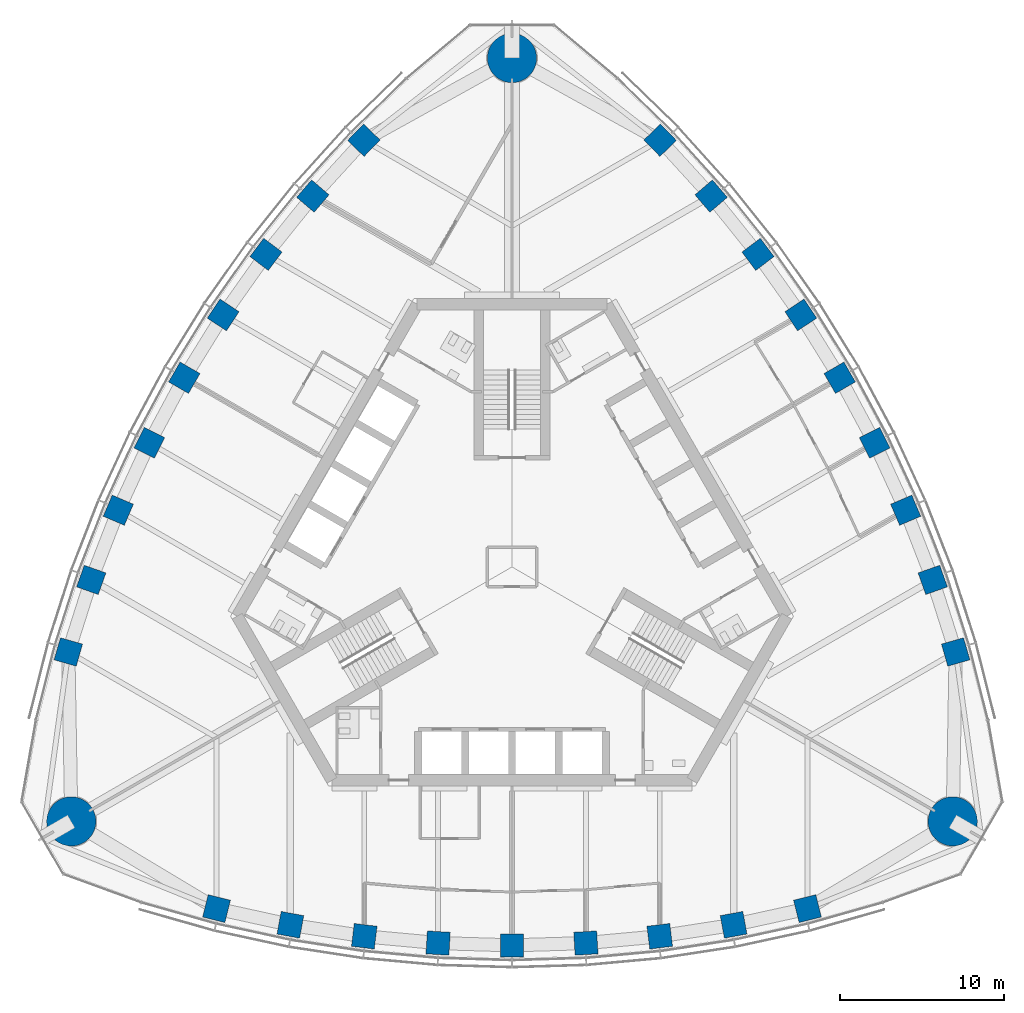
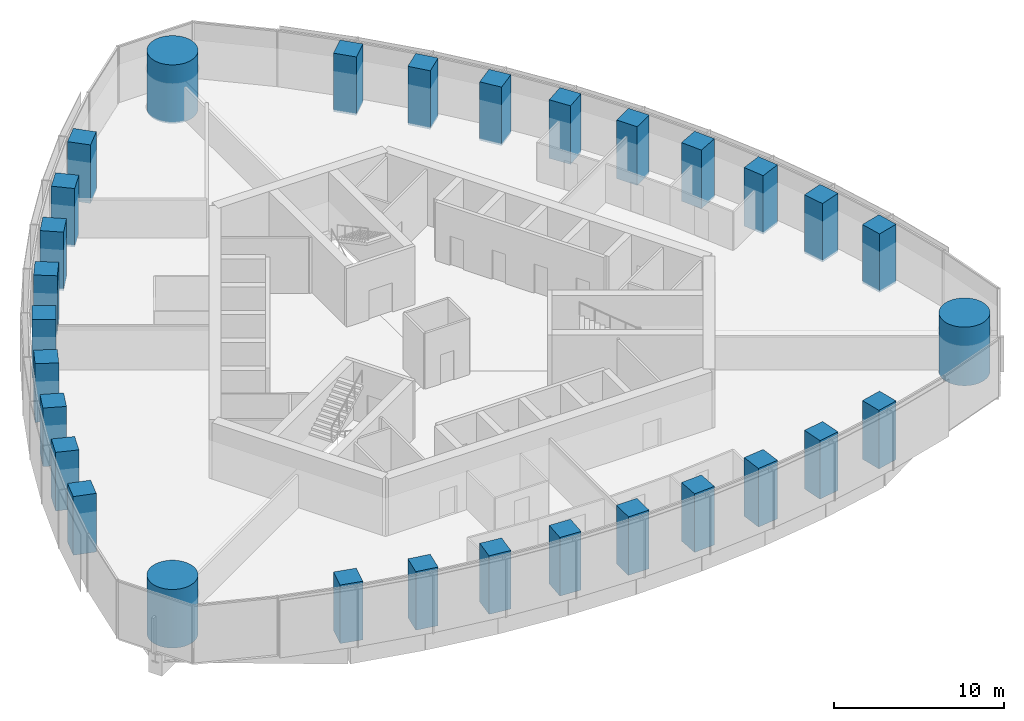
# One storey, part 1 of 15: 30 columns.
"""IFC4 building model written with IfcOpenShell, lengths in metres."""

from ifc_helpers import new_model, si_unit, direction, frame, origin, origin_2d, place, context, subcontext, project, spatial, rectangle, circle, extrude, material, material_profile, profile_set, type_object, element, save


model = new_model("IFC4")

# Units and contexts
model_context = context("Model", 3, precision=1e-05, world=origin(), true_north=direction((0.0, 1.0)))
body_context = subcontext(model_context, "Body", "Model", "MODEL_VIEW")
ifc_project = project(units=[si_unit("LENGTHUNIT", "METRE"), si_unit("AREAUNIT", "SQUARE_METRE"), si_unit("VOLUMEUNIT", "CUBIC_METRE"), si_unit("PLANEANGLEUNIT", "RADIAN"), si_unit("MASSUNIT", "GRAM", prefix="KILO")], contexts=[model_context])

# Site, building, storey
site_placement = place(None, origin())
site = spatial("IfcSite", under=ifc_project, at=site_placement, CompositionType="ELEMENT")
building_placement = place(site_placement, origin())
building = spatial("IfcBuilding", under=site, at=building_placement, Name="Trefoil Bronze Tower", CompositionType="ELEMENT")
storey_placement = place(building_placement, frame((0.0, 0.0, 288.89990234375)))
storey = spatial("IfcBuildingStorey", under=building, at=storey_placement, Name="L66", CompositionType="ELEMENT", Elevation=288.89990234375)

# Columns
ifc_material_1 = material(Name="Concrete B80", Category="concrete")
ifc_material_profile_1 = material_profile(ifc_material_1, circle(Radius=1.5, at=origin_2d()), Name="RC D3000")
ifc_profile_set_1 = profile_set([ifc_material_profile_1], Name="Concrete B80")
column_type_1 = type_object("IfcColumnType", Name="Mega column RC D3000", PredefinedType="COLUMN", material=ifc_profile_set_1)
for number, where, z_axis, x_axis, name in (
    (1, (26.8466796875, -15.5, 0.0), (0.0, 0.0, 1.0), (1.0, 0.0, 0.0), "Mega column K1 L66"),
    (2, (0.0, 31.0, 0.0), (0.0, 0.0, 1.0), (1.0, 0.0, 0.0), "Mega column K2 L66"),
    (3, (-26.8466796875, -15.5, 0.0), (0.0, 0.0, 1.0), (1.0, 0.0, 0.0), "Mega column K3 L66"),
):
    element("IfcColumn", number, at=place(storey_placement, frame(where, z_axis=z_axis, x_axis=x_axis)), inside=storey, type_object=column_type_1, Name=name, PredefinedType="COLUMN", context=body_context, shape_type="SweptSolid", body=[
        extrude(circle(Radius=1.5, at=origin_2d()), origin(), (0.0, 0.0, 1.0), 4.2001953125),
    ])
ifc_material_2 = material(Name="Concrete B80", Category="concrete")
ifc_material_profile_2 = material_profile(ifc_material_2, rectangle(XDim=1.39990234375, YDim=1.39990234375, at=origin_2d()), Name="RC 1400x1400")
ifc_profile_set_2 = profile_set([ifc_material_profile_2], Name="Concrete B80")
column_type_2 = type_object("IfcColumnType", Name="Tube column RC 1400x1400", PredefinedType="COLUMN", material=ifc_profile_set_2)
for number, where, z_axis, x_axis, name in (
    (4, (-18.0, -20.816162109375, 0.0), (0.0, 0.0, 1.0), (0.97017777199, -0.242394494031, 0.0), "Tube column F1/-4 L66"),
    (5, (-13.5, -21.802734375, 0.0), (0.0, 0.0, 1.0), (0.983360067227, -0.181667218242, 0.0), "Tube column F1/-3 L66"),
    (6, (-9.0, -22.499267578125, 0.0), (0.0, 0.0, 1.0), (0.992639174109, -0.121109330868, 0.0), "Tube column F1/-2 L66"),
    (7, (-4.5, -22.913818359375, 0.0), (0.0, 0.0, 1.0), (0.998164920349, -0.060554040199, 0.0), "Tube column F1/-1 L66"),
    (8, (0.0, -23.051513671875, 0.0), (0.0, 0.0, 1.0), (1.0, 0.0, 0.0), "Tube column F1/+0 L66"),
    (9, (4.5, -22.913818359375, 0.0), (0.0, 0.0, 1.0), (0.998164920349, 0.060554040199, 0.0), "Tube column F1/+1 L66"),
    (10, (9.0, -22.499267578125, 0.0), (0.0, 0.0, 1.0), (0.992639174109, 0.121109330868, 0.0), "Tube column F1/+2 L66"),
    (11, (13.5, -21.802734375, 0.0), (0.0, 0.0, 1.0), (0.983360067227, 0.181667218242, 0.0), "Tube column F1/+3 L66"),
    (12, (18.0, -20.816162109375, 0.0), (0.0, 0.0, 1.0), (0.97017777199, 0.242394494031, 0.0), "Tube column F1/+4 L66"),
    (13, (27.02734375, -5.180419921875, 0.0), (0.0, 0.0, 1.0), (-0.275169096426, 0.961395843746, 0.0), "Tube column F2/-4 L66"),
    (14, (25.631591796875, -0.7900390625, 0.0), (0.0, 0.0, 1.0), (-0.334351607581, 0.942448408407, 0.0), "Tube column F2/-3 L66"),
    (15, (23.98486328125, 3.455322265625, 0.0), (0.0, 0.0, 1.0), (-0.391435829888, 0.920205407004, 0.0), "Tube column F2/-2 L66"),
    (16, (22.093994140625, 7.559814453125, 0.0), (0.0, 0.0, 1.0), (-0.44664112306, 0.894713198289, 0.0), "Tube column F2/-1 L66"),
    (17, (19.96337890625, 11.52587890625, 0.0), (0.0, 0.0, 1.0), (-0.5, 0.866025403784, 0.0), "Tube column F2/+0 L66"),
    (18, (17.593994140625, 15.35400390625, 0.0), (0.0, 0.0, 1.0), (-0.551523797289, 0.834159158089, 0.0), "Tube column F2/+1 L66"),
    (19, (14.98486328125, 19.043701171875, 0.0), (0.0, 0.0, 1.0), (-0.601203344222, 0.799096076136, 0.0), "Tube column F2/+2 L66"),
    (20, (12.131591796875, 22.5927734375, 0.0), (0.0, 0.0, 1.0), (-0.649008459646, 0.760781190165, 0.0), "Tube column F2/+3 L66"),
    (21, (9.02734375, 25.99658203125, 0.0), (0.0, 0.0, 1.0), (-0.695008675564, 0.719001349715, 0.0), "Tube column F2/+4 L66"),
    (22, (-9.02734375, 25.99658203125, 0.0), (0.0, 0.0, 1.0), (-0.695008675564, -0.719001349715, 0.0), "Tube column F3/-4 L66"),
    (23, (-12.131591796875, 22.5927734375, 0.0), (0.0, 0.0, 1.0), (-0.649008459646, -0.760781190165, 0.0), "Tube column F3/-3 L66"),
    (24, (-14.98486328125, 19.043701171875, 0.0), (0.0, 0.0, 1.0), (-0.601203344222, -0.799096076136, 0.0), "Tube column F3/-2 L66"),
    (25, (-17.593994140625, 15.35400390625, 0.0), (0.0, 0.0, 1.0), (-0.551523797289, -0.834159158089, 0.0), "Tube column F3/-1 L66"),
    (26, (-19.96337890625, 11.52587890625, 0.0), (0.0, 0.0, 1.0), (-0.5, -0.866025403784, 0.0), "Tube column F3/+0 L66"),
    (27, (-22.093994140625, 7.559814453125, 0.0), (0.0, 0.0, 1.0), (-0.44664112306, -0.894713198289, 0.0), "Tube column F3/+1 L66"),
    (28, (-23.98486328125, 3.455322265625, 0.0), (0.0, 0.0, 1.0), (-0.391435829888, -0.920205407004, 0.0), "Tube column F3/+2 L66"),
    (29, (-25.631591796875, -0.7900390625, 0.0), (0.0, 0.0, 1.0), (-0.334351607581, -0.942448408407, 0.0), "Tube column F3/+3 L66"),
    (30, (-27.02734375, -5.180419921875, 0.0), (0.0, 0.0, 1.0), (-0.275169096426, -0.961395843746, 0.0), "Tube column F3/+4 L66"),
):
    element("IfcColumn", number, at=place(storey_placement, frame(where, z_axis=z_axis, x_axis=x_axis)), inside=storey, type_object=column_type_2, Name=name, PredefinedType="COLUMN", context=body_context, shape_type="SweptSolid", body=[
        extrude(rectangle(XDim=1.39990234375, YDim=1.39990234375, at=origin_2d()), origin(), (0.0, 0.0, 1.0), 4.2001953125),
    ])

save(model, "model.ifc")
